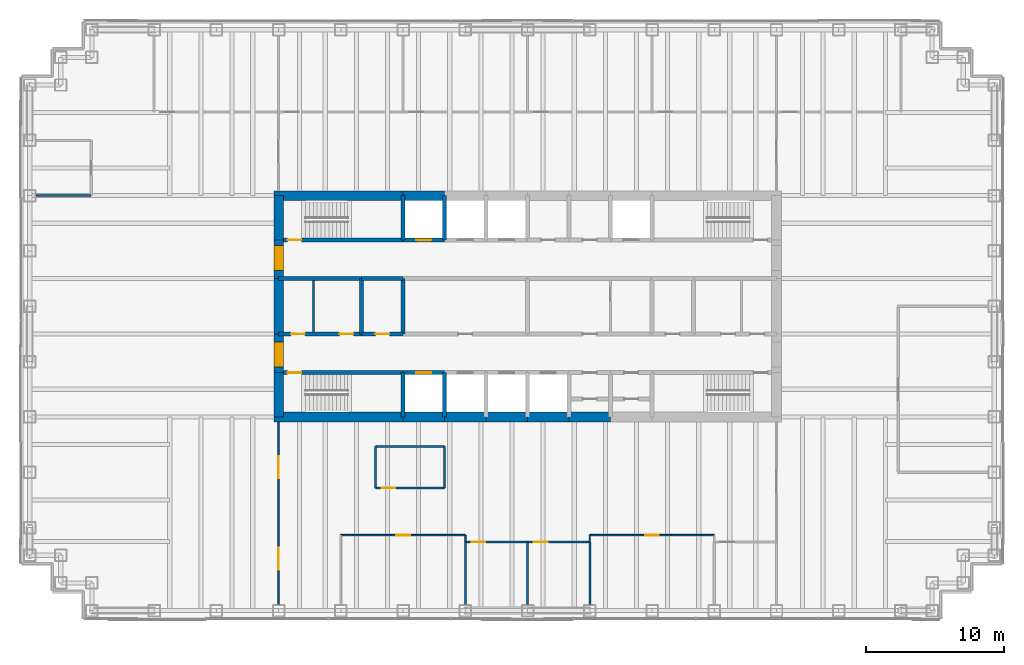
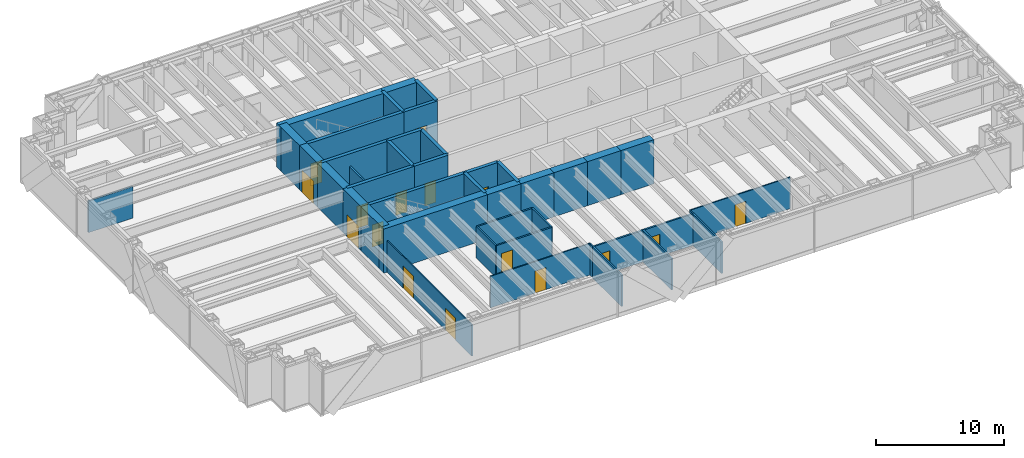
# One storey, part 11 of 15: 42 walls, 16 doors, 16 openings.
"""IFC4 building model written with IfcOpenShell, lengths in metres."""

from ifc_helpers import new_model, si_unit, direction, frame, frame_2d, origin, place, context, subcontext, project, spatial, rectangle, extrude, material, layer, layer_set, type_object, element, fill, save


model = new_model("IFC4")

# Units and contexts
model_context = context("Model", 3, precision=1e-05, world=origin(), true_north=direction((0.0, 1.0)))
body_context = subcontext(model_context, "Body", "Model", "MODEL_VIEW")
ifc_project = project(units=[si_unit("LENGTHUNIT", "METRE"), si_unit("AREAUNIT", "SQUARE_METRE"), si_unit("VOLUMEUNIT", "CUBIC_METRE"), si_unit("PLANEANGLEUNIT", "RADIAN"), si_unit("MASSUNIT", "GRAM", prefix="KILO")], contexts=[model_context])

# Site, building, storey
site_placement = place(None, origin())
site = spatial("IfcSite", under=ifc_project, at=site_placement, CompositionType="ELEMENT")
building_placement = place(site_placement, origin())
building = spatial("IfcBuilding", under=site, at=building_placement, Name="Rheinbord Bourse Tower", CompositionType="ELEMENT")
storey_placement = place(building_placement, frame((0.0, 0.0, 275.300048828125)))
storey = spatial("IfcBuildingStorey", under=building, at=storey_placement, Name="L62", CompositionType="ELEMENT", Elevation=275.300048828125)

# Wall, opening, door
ifc_material_1 = material(Name="Concrete C50/60", Category="concrete")
ifc_layer_1 = layer(ifc_material_1, 0.300048828125)
ifc_layer_set_1 = layer_set([ifc_layer_1], Name="CORE INNER WALL 300")
wall_type_1 = type_object("IfcWallType", Name="CORE INNER WALL 300", PredefinedType="SOLIDWALL", material=ifc_layer_set_1)
wall_1_placement = place(storey_placement, frame((18.0, 19.199951171875, 0.0), z_axis=(0.0, 0.0, 1.0), x_axis=(1.0, 0.0, 0.0)))
wall_1 = element("IfcWall", 1, at=wall_1_placement, inside=storey, type_object=wall_type_1, Name="Core wall A1 L62", PredefinedType="SOLIDWALL", context=body_context, shape_type="SweptSolid", body=[
    extrude(rectangle(XDim=9.0, YDim=0.300048828125, at=frame_2d((4.5, 0.0))), origin(), (0.0, 0.0, 1.0), 4.199951171875),
])
opening_1_placement = place(wall_1_placement, frame((0.64990234375, 0.0, 0.0)))
opening_1 = element("IfcOpeningElement", 2, at=opening_1_placement, cuts=wall_1, Name="Opening 6210", PredefinedType="OPENING", context=body_context, shape_type="SweptSolid", body=[
    extrude(rectangle(XDim=1.0, YDim=2.10009765625, at=frame_2d((0.5, 1.050048828125))), frame((0.0, 0.159912109375, 0.0), z_axis=(0.0, -1.0, 0.0), x_axis=(1.0, 0.0, 0.0)), (0.0, 0.0, 1.0), 0.320068359375),
])
ifc_material_2 = material(Name="Steel door", Category="steel")
door_type_1 = type_object("IfcDoorType", Name="DOOR 1000 EI30", OperationType="SINGLE_SWING_LEFT", PredefinedType="DOOR", material=ifc_material_2)
door_1_placement = place(opening_1_placement, origin())
door_1 = element("IfcDoor", 3, at=door_1_placement, inside=storey, type_object=door_type_1, Name="Stair door ST1 L62", OperationType="SINGLE_SWING_LEFT", OverallHeight=2.10009765625, OverallWidth=1.0, PredefinedType="DOOR", context=body_context, shape_type="SweptSolid", body=[
    extrude(rectangle(XDim=1.0, YDim=2.10009765625, at=frame_2d((0.5, 1.050048828125))), frame((0.0, 0.02490234375, 0.0), z_axis=(0.0, -1.0, 0.0), x_axis=(1.0, 0.0, 0.0)), (0.0, 0.0, 1.0), 0.050048828125),
])
fill(opening_1, door_1)

wall_2_placement = place(storey_placement, frame((27.0, 19.199951171875, 0.0), z_axis=(0.0, 0.0, 1.0), x_axis=(1.0, 0.0, 0.0)))
wall_2 = element("IfcWall", 4, at=wall_2_placement, inside=storey, type_object=wall_type_1, Name="Core wall A2 L62", PredefinedType="SOLIDWALL", context=body_context, shape_type="SweptSolid", body=[
    extrude(rectangle(XDim=3.0, YDim=0.300048828125, at=frame_2d((1.5, 0.0))), origin(), (0.0, 0.0, 1.0), 4.199951171875),
])
opening_2_placement = place(wall_2_placement, frame((0.949951171875, 0.0, 0.0)))
opening_2 = element("IfcOpeningElement", 5, at=opening_2_placement, cuts=wall_2, Name="Opening FL1", PredefinedType="OPENING", context=body_context, shape_type="SweptSolid", body=[
    extrude(rectangle(XDim=1.10009765625, YDim=2.199951171875, at=frame_2d((0.550048828125, 1.10009765625))), frame((0.0, 0.159912109375, 0.0), z_axis=(0.0, -1.0, 0.0), x_axis=(1.0, 0.0, 0.0)), (0.0, 0.0, 1.0), 0.320068359375),
])
ifc_material_3 = material(Name="Steel landing door", Category="steel")
door_type_2 = type_object("IfcDoorType", Name="LIFT LANDING DOOR 1100", OperationType="DOUBLE_DOOR_SLIDING", PredefinedType="USERDEFINED", material=ifc_material_3)
door_2_placement = place(opening_2_placement, origin())
door_2 = element("IfcDoor", 6, at=door_2_placement, inside=storey, type_object=door_type_2, Name="Lift landing door FL1 L62", ObjectType="LIFT LANDING DOOR", OperationType="DOUBLE_DOOR_SLIDING", OverallHeight=2.199951171875, OverallWidth=1.10009765625, PredefinedType="USERDEFINED", context=body_context, shape_type="SweptSolid", body=[
    extrude(rectangle(XDim=1.10009765625, YDim=2.199951171875, at=frame_2d((0.550048828125, 1.10009765625))), frame((0.0, 0.02490234375, 0.0), z_axis=(0.0, -1.0, 0.0), x_axis=(1.0, 0.0, 0.0)), (0.0, 0.0, 1.0), 0.050048828125),
])
fill(opening_2, door_2)

wall_3_placement = place(storey_placement, frame((18.0, 28.800048828125, 0.0), z_axis=(0.0, 0.0, 1.0), x_axis=(1.0, 0.0, 0.0)))
wall_3 = element("IfcWall", 7, at=wall_3_placement, inside=storey, type_object=wall_type_1, Name="Core wall B1 L62", PredefinedType="SOLIDWALL", context=body_context, shape_type="SweptSolid", body=[
    extrude(rectangle(XDim=9.0, YDim=0.300048828125, at=frame_2d((4.5, 0.0))), origin(), (0.0, 0.0, 1.0), 4.199951171875),
])
opening_3_placement = place(wall_3_placement, frame((0.64990234375, 0.0, 0.0)))
opening_3 = element("IfcOpeningElement", 8, at=opening_3_placement, cuts=wall_3, Name="Opening 6220", PredefinedType="OPENING", context=body_context, shape_type="SweptSolid", body=[
    extrude(rectangle(XDim=1.0, YDim=2.10009765625, at=frame_2d((0.5, 1.050048828125))), frame((0.0, 0.159912109375, 0.0), z_axis=(0.0, -1.0, 0.0), x_axis=(1.0, 0.0, 0.0)), (0.0, 0.0, 1.0), 0.320068359375),
])
door_3_placement = place(opening_3_placement, origin())
door_3 = element("IfcDoor", 9, at=door_3_placement, inside=storey, type_object=door_type_1, Name="Stair door ST2 L62", OperationType="SINGLE_SWING_LEFT", OverallHeight=2.10009765625, OverallWidth=1.0, PredefinedType="DOOR", context=body_context, shape_type="SweptSolid", body=[
    extrude(rectangle(XDim=1.0, YDim=2.10009765625, at=frame_2d((0.5, 1.050048828125))), frame((0.0, 0.02490234375, 0.0), z_axis=(0.0, -1.0, 0.0), x_axis=(1.0, 0.0, 0.0)), (0.0, 0.0, 1.0), 0.050048828125),
])
fill(opening_3, door_3)

wall_4_placement = place(storey_placement, frame((27.0, 28.800048828125, 0.0), z_axis=(0.0, 0.0, 1.0), x_axis=(1.0, 0.0, 0.0)))
wall_4 = element("IfcWall", 10, at=wall_4_placement, inside=storey, type_object=wall_type_1, Name="Core wall B2 L62", PredefinedType="SOLIDWALL", context=body_context, shape_type="SweptSolid", body=[
    extrude(rectangle(XDim=3.0, YDim=0.300048828125, at=frame_2d((1.5, 0.0))), origin(), (0.0, 0.0, 1.0), 4.199951171875),
])
opening_4_placement = place(wall_4_placement, frame((0.949951171875, 0.0, 0.0)))
opening_4 = element("IfcOpeningElement", 11, at=opening_4_placement, cuts=wall_4, Name="Opening GL1", PredefinedType="OPENING", context=body_context, shape_type="SweptSolid", body=[
    extrude(rectangle(XDim=1.10009765625, YDim=2.199951171875, at=frame_2d((0.550048828125, 1.10009765625))), frame((0.0, 0.159912109375, 0.0), z_axis=(0.0, -1.0, 0.0), x_axis=(1.0, 0.0, 0.0)), (0.0, 0.0, 1.0), 0.320068359375),
])
door_4_placement = place(opening_4_placement, origin())
door_4 = element("IfcDoor", 12, at=door_4_placement, inside=storey, type_object=door_type_2, Name="Lift landing door GL1 L62", ObjectType="LIFT LANDING DOOR", OperationType="DOUBLE_DOOR_SLIDING", OverallHeight=2.199951171875, OverallWidth=1.10009765625, PredefinedType="USERDEFINED", context=body_context, shape_type="SweptSolid", body=[
    extrude(rectangle(XDim=1.10009765625, YDim=2.199951171875, at=frame_2d((0.550048828125, 1.10009765625))), frame((0.0, 0.02490234375, 0.0), z_axis=(0.0, -1.0, 0.0), x_axis=(1.0, 0.0, 0.0)), (0.0, 0.0, 1.0), 0.050048828125),
])
fill(opening_4, door_4)

# Wall, openings, doors
wall_5_placement = place(storey_placement, frame((18.0, 22.0, 0.0), z_axis=(0.0, 0.0, 1.0), x_axis=(1.0, 0.0, 0.0)))
wall_5 = element("IfcWall", 13, at=wall_5_placement, inside=storey, type_object=wall_type_1, Name="Core wall C1 L62", PredefinedType="SOLIDWALL", context=body_context, shape_type="SweptSolid", body=[
    extrude(rectangle(XDim=6.0, YDim=0.300048828125, at=frame_2d((3.0, 0.0))), origin(), (0.0, 0.0, 1.0), 4.199951171875),
])
opening_5_placement = place(wall_5_placement, frame((4.39990234375, 0.0, 0.0)))
opening_5 = element("IfcOpeningElement", 14, at=opening_5_placement, cuts=wall_5, Name="Opening 62R1", PredefinedType="OPENING", context=body_context, shape_type="SweptSolid", body=[
    extrude(rectangle(XDim=1.0, YDim=2.10009765625, at=frame_2d((0.5, 1.050048828125))), frame((0.0, 0.159912109375, 0.0), z_axis=(0.0, -1.0, 0.0), x_axis=(1.0, 0.0, 0.0)), (0.0, 0.0, 1.0), 0.320068359375),
])
opening_6_placement = place(wall_5_placement, frame((0.89990234375, 0.0, 0.0)))
opening_6 = element("IfcOpeningElement", 15, at=opening_6_placement, cuts=wall_5, Name="Opening 62R9", PredefinedType="OPENING", context=body_context, shape_type="SweptSolid", body=[
    extrude(rectangle(XDim=1.0, YDim=2.10009765625, at=frame_2d((0.5, 1.050048828125))), frame((0.0, 0.159912109375, 0.0), z_axis=(0.0, -1.0, 0.0), x_axis=(1.0, 0.0, 0.0)), (0.0, 0.0, 1.0), 0.320068359375),
])
door_5_placement = place(opening_6_placement, origin())
door_5 = element("IfcDoor", 16, at=door_5_placement, inside=storey, type_object=door_type_1, Name="Baby change door L62", OperationType="SINGLE_SWING_LEFT", OverallHeight=2.10009765625, OverallWidth=1.0, PredefinedType="DOOR", context=body_context, shape_type="SweptSolid", body=[
    extrude(rectangle(XDim=1.0, YDim=2.10009765625, at=frame_2d((0.5, 1.050048828125))), frame((0.0, 0.02490234375, 0.0), z_axis=(0.0, -1.0, 0.0), x_axis=(1.0, 0.0, 0.0)), (0.0, 0.0, 1.0), 0.050048828125),
])
fill(opening_6, door_5)
ifc_material_4 = material(Name="Timber door", Category="wood")
door_type_3 = type_object("IfcDoorType", Name="DOOR 1000 WC", OperationType="SINGLE_SWING_LEFT", PredefinedType="DOOR", material=ifc_material_4)
door_6_placement = place(opening_5_placement, origin())
door_6 = element("IfcDoor", 17, at=door_6_placement, inside=storey, type_object=door_type_3, Name="WC men door L62", OperationType="SINGLE_SWING_RIGHT", OverallHeight=2.10009765625, OverallWidth=1.0, PredefinedType="DOOR", context=body_context, shape_type="SweptSolid", body=[
    extrude(rectangle(XDim=1.0, YDim=2.10009765625, at=frame_2d((0.5, 1.050048828125))), frame((0.0, 0.02490234375, 0.0), z_axis=(0.0, -1.0, 0.0), x_axis=(1.0, 0.0, 0.0)), (0.0, 0.0, 1.0), 0.050048828125),
])
fill(opening_5, door_6)

# Wall, opening, door
wall_6_placement = place(storey_placement, frame((24.0, 22.0, 0.0), z_axis=(0.0, 0.0, 1.0), x_axis=(1.0, 0.0, 0.0)))
wall_6 = element("IfcWall", 18, at=wall_6_placement, inside=storey, type_object=wall_type_1, Name="Core wall C2 L62", PredefinedType="SOLIDWALL", context=body_context, shape_type="SweptSolid", body=[
    extrude(rectangle(XDim=3.0, YDim=0.300048828125, at=frame_2d((1.5, 0.0))), origin(), (0.0, 0.0, 1.0), 4.199951171875),
])
opening_7_placement = place(wall_6_placement, frame((1.0, 0.0, 0.0)))
opening_7 = element("IfcOpeningElement", 19, at=opening_7_placement, cuts=wall_6, Name="Opening 62R2", PredefinedType="OPENING", context=body_context, shape_type="SweptSolid", body=[
    extrude(rectangle(XDim=1.0, YDim=2.10009765625, at=frame_2d((0.5, 1.050048828125))), frame((0.0, 0.159912109375, 0.0), z_axis=(0.0, -1.0, 0.0), x_axis=(1.0, 0.0, 0.0)), (0.0, 0.0, 1.0), 0.320068359375),
])
door_7_placement = place(opening_7_placement, origin())
door_7 = element("IfcDoor", 20, at=door_7_placement, inside=storey, type_object=door_type_1, Name="First aid room door L62", OperationType="SINGLE_SWING_LEFT", OverallHeight=2.10009765625, OverallWidth=1.0, PredefinedType="DOOR", context=body_context, shape_type="SweptSolid", body=[
    extrude(rectangle(XDim=1.0, YDim=2.10009765625, at=frame_2d((0.5, 1.050048828125))), frame((0.0, 0.02490234375, 0.0), z_axis=(0.0, -1.0, 0.0), x_axis=(1.0, 0.0, 0.0)), (0.0, 0.0, 1.0), 0.050048828125),
])
fill(opening_7, door_7)

# Walls
wall_7_placement = place(storey_placement, frame((18.0, 26.0, 0.0), z_axis=(0.0, 0.0, 1.0), x_axis=(1.0, 0.0, 0.0)))
element("IfcWall", 21, at=wall_7_placement, inside=storey, type_object=wall_type_1, Name="Core wall D1 L62", PredefinedType="SOLIDWALL", context=body_context, shape_type="SweptSolid", body=[
    extrude(rectangle(XDim=6.0, YDim=0.300048828125, at=frame_2d((3.0, 0.0))), origin(), (0.0, 0.0, 1.0), 4.199951171875),
])
wall_8_placement = place(storey_placement, frame((24.0, 26.0, 0.0), z_axis=(0.0, 0.0, 1.0), x_axis=(1.0, 0.0, 0.0)))
element("IfcWall", 22, at=wall_8_placement, inside=storey, type_object=wall_type_1, Name="Core wall D2 L62", PredefinedType="SOLIDWALL", context=body_context, shape_type="SweptSolid", body=[
    extrude(rectangle(XDim=3.0, YDim=0.300048828125, at=frame_2d((1.5, 0.0))), origin(), (0.0, 0.0, 1.0), 4.199951171875),
])
for number, where, z_axis, x_axis, name in (
    (23, (27.0, 16.0, 0.0), (0.0, 0.0, 1.0), (0.0, 1.0, 0.0), "Core wall SX27 L62"),
    (24, (27.0, 28.800048828125, 0.0), (0.0, 0.0, 1.0), (0.0, 1.0, 0.0), "Core wall NX27 L62"),
    (25, (30.0, 16.0, 0.0), (0.0, 0.0, 1.0), (0.0, 1.0, 0.0), "Core wall SX30 L62"),
    (26, (30.0, 28.800048828125, 0.0), (0.0, 0.0, 1.0), (0.0, 1.0, 0.0), "Core wall NX30 L62"),
):
    element("IfcWall", number, at=place(storey_placement, frame(where, z_axis=z_axis, x_axis=x_axis)), inside=storey, type_object=wall_type_1, Name=name, PredefinedType="SOLIDWALL", context=body_context, shape_type="SweptSolid", body=[
        extrude(rectangle(XDim=3.199951171875, YDim=0.300048828125, at=frame_2d((1.60009765625, 0.0))), origin(), (0.0, 0.0, 1.0), 4.199951171875),
    ])
for number, where, z_axis, x_axis, name in (
    (27, (24.0, 22.0, 0.0), (0.0, 0.0, 1.0), (0.0, 1.0, 0.0), "Core wall MX24 L62"),
    (28, (27.0, 22.0, 0.0), (0.0, 0.0, 1.0), (0.0, 1.0, 0.0), "Core wall MX27 L62"),
):
    element("IfcWall", number, at=place(storey_placement, frame(where, z_axis=z_axis, x_axis=x_axis)), inside=storey, type_object=wall_type_1, Name=name, PredefinedType="SOLIDWALL", context=body_context, shape_type="SweptSolid", body=[
        extrude(rectangle(XDim=4.0, YDim=0.300048828125, at=frame_2d((2.0, 0.0))), origin(), (0.0, 0.0, 1.0), 4.199951171875),
    ])
ifc_material_5 = material(Name="Gypsum board fire partition", Category="gypsum board")
ifc_layer_2 = layer(ifc_material_5, 0.14990234375)
ifc_layer_set_2 = layer_set([ifc_layer_2], Name="CORE PARTITION 150 EI30")
wall_type_2 = type_object("IfcWallType", Name="CORE PARTITION 150 EI30", PredefinedType="PARTITIONING", material=ifc_layer_set_2)
wall_9_placement = place(storey_placement, frame((20.52490234375, 22.14990234375, 0.0), z_axis=(0.0, 0.0, 1.0), x_axis=(0.0, 1.0, 0.0)))
element("IfcWall", 29, at=wall_9_placement, inside=storey, type_object=wall_type_2, Name="Core partition L62-2", PredefinedType="PARTITIONING", context=body_context, shape_type="SweptSolid", body=[
    extrude(rectangle(XDim=3.7001953125, YDim=0.14990234375, at=frame_2d((1.85009765625, 0.0))), origin(), (0.0, 0.0, 1.0), 3.0),
])
ifc_material_6 = material(Name="Concrete C50/60", Category="concrete")
ifc_layer_3 = layer(ifc_material_6, 0.699951171875)
ifc_layer_set_3 = layer_set([ifc_layer_3], Name="CORE WALL 700")
wall_type_3 = type_object("IfcWallType", Name="CORE WALL 700", PredefinedType="SHEAR", material=ifc_layer_set_3)
wall_10_placement = place(storey_placement, frame((17.64990234375, 16.0, 0.0), z_axis=(0.0, 0.0, 1.0), x_axis=(1.0, 0.0, 0.0)))
element("IfcWall", 30, at=wall_10_placement, inside=storey, type_object=wall_type_3, Name="Core wall S1 L62", PredefinedType="SHEAR", context=body_context, shape_type="SweptSolid", body=[
    extrude(rectangle(XDim=9.35009765625, YDim=0.699951171875, at=frame_2d((4.675048828125, 0.0))), origin(), (0.0, 0.0, 1.0), 4.199951171875),
])
for number, where, z_axis, x_axis, name in (
    (31, (27.0, 16.0, 0.0), (0.0, 0.0, 1.0), (1.0, 0.0, 0.0), "Core wall S2 L62"),
    (32, (30.0, 16.0, 0.0), (0.0, 0.0, 1.0), (1.0, 0.0, 0.0), "Core wall S3 L62"),
    (33, (33.0, 16.0, 0.0), (0.0, 0.0, 1.0), (1.0, 0.0, 0.0), "Core wall S4 L62"),
    (34, (36.0, 16.0, 0.0), (0.0, 0.0, 1.0), (1.0, 0.0, 0.0), "Core wall S5 L62"),
    (35, (39.0, 16.0, 0.0), (0.0, 0.0, 1.0), (1.0, 0.0, 0.0), "Core wall S6 L62"),
    (36, (30.0, 32.0, 0.0), (0.0, 0.0, 1.0), (-1.0, 0.0, 0.0), "Core wall N7 L62"),
):
    element("IfcWall", number, at=place(storey_placement, frame(where, z_axis=z_axis, x_axis=x_axis)), inside=storey, type_object=wall_type_3, Name=name, PredefinedType="SHEAR", context=body_context, shape_type="SweptSolid", body=[
        extrude(rectangle(XDim=3.0, YDim=0.699951171875, at=frame_2d((1.5, 0.0))), origin(), (0.0, 0.0, 1.0), 4.199951171875),
    ])
wall_11_placement = place(storey_placement, frame((27.0, 32.0, 0.0), z_axis=(0.0, 0.0, 1.0), x_axis=(-1.0, 0.0, 0.0)))
element("IfcWall", 37, at=wall_11_placement, inside=storey, type_object=wall_type_3, Name="Core wall N8 L62", PredefinedType="SHEAR", context=body_context, shape_type="SweptSolid", body=[
    extrude(rectangle(XDim=9.35009765625, YDim=0.699951171875, at=frame_2d((4.675048828125, 0.0))), origin(), (0.0, 0.0, 1.0), 4.199951171875),
])
wall_12_placement = place(storey_placement, frame((18.0, 32.0, 0.0), z_axis=(0.0, 0.0, 1.0), x_axis=(0.0, -1.0, 0.0)))
element("IfcWall", 38, at=wall_12_placement, inside=storey, type_object=wall_type_3, Name="Core wall W1 L62", PredefinedType="SHEAR", context=body_context, shape_type="SweptSolid", body=[
    extrude(rectangle(XDim=3.199951171875, YDim=0.699951171875, at=frame_2d((1.60009765625, 0.0))), origin(), (0.0, 0.0, 1.0), 4.199951171875),
])

# Wall, opening, door
wall_13_placement = place(storey_placement, frame((18.0, 28.800048828125, 0.0), z_axis=(0.0, 0.0, 1.0), x_axis=(0.0, -1.0, 0.0)))
wall_13 = element("IfcWall", 39, at=wall_13_placement, inside=storey, type_object=wall_type_3, Name="Core wall W2 L62", PredefinedType="SHEAR", context=body_context, shape_type="SweptSolid", body=[
    extrude(rectangle(XDim=2.800048828125, YDim=0.699951171875, at=frame_2d((1.39990234375, 0.0))), origin(), (0.0, 0.0, 1.0), 4.199951171875),
])
opening_8_placement = place(wall_13_placement, frame((0.39990234375, 0.0, 0.0)))
opening_8 = element("IfcOpeningElement", 40, at=opening_8_placement, cuts=wall_13, Name="Opening 62L2", PredefinedType="OPENING", context=body_context, shape_type="SweptSolid", body=[
    extrude(rectangle(XDim=1.800048828125, YDim=2.10009765625, at=frame_2d((0.89990234375, 1.050048828125))), frame((0.0, 0.35986328125, 0.0), z_axis=(0.0, -1.0, 0.0), x_axis=(1.0, 0.0, 0.0)), (0.0, 0.0, 1.0), 0.719970703125),
])
ifc_material_7 = material(Name="Steel door", Category="steel")
door_type_4 = type_object("IfcDoorType", Name="DOOR 1800 EI30 DOUBLE", OperationType="DOUBLE_DOOR_DOUBLE_SWING", PredefinedType="DOOR", material=ifc_material_7)
door_8_placement = place(opening_8_placement, origin())
door_8 = element("IfcDoor", 41, at=door_8_placement, inside=storey, type_object=door_type_4, Name="Lobby door 2 L62", OperationType="SINGLE_SWING_LEFT", OverallHeight=2.10009765625, OverallWidth=1.800048828125, PredefinedType="DOOR", context=body_context, shape_type="SweptSolid", body=[
    extrude(rectangle(XDim=1.800048828125, YDim=2.10009765625, at=frame_2d((0.89990234375, 1.050048828125))), frame((0.0, 0.349609375, 0.0), z_axis=(0.0, -1.0, 0.0), x_axis=(1.0, 0.0, 0.0)), (0.0, 0.0, 1.0), 0.699462890625),
])
fill(opening_8, door_8)

# Wall
wall_14_placement = place(storey_placement, frame((18.0, 26.0, 0.0), z_axis=(0.0, 0.0, 1.0), x_axis=(0.0, -1.0, 0.0)))
element("IfcWall", 42, at=wall_14_placement, inside=storey, type_object=wall_type_3, Name="Core wall W3 L62", PredefinedType="SHEAR", context=body_context, shape_type="SweptSolid", body=[
    extrude(rectangle(XDim=4.0, YDim=0.699951171875, at=frame_2d((2.0, 0.0))), origin(), (0.0, 0.0, 1.0), 4.199951171875),
])

# Wall, opening, door
wall_15_placement = place(storey_placement, frame((18.0, 22.0, 0.0), z_axis=(0.0, 0.0, 1.0), x_axis=(0.0, -1.0, 0.0)))
wall_15 = element("IfcWall", 43, at=wall_15_placement, inside=storey, type_object=wall_type_3, Name="Core wall W4 L62", PredefinedType="SHEAR", context=body_context, shape_type="SweptSolid", body=[
    extrude(rectangle(XDim=2.800048828125, YDim=0.699951171875, at=frame_2d((1.39990234375, 0.0))), origin(), (0.0, 0.0, 1.0), 4.199951171875),
])
opening_9_placement = place(wall_15_placement, frame((0.60009765625, 0.0, 0.0)))
opening_9 = element("IfcOpeningElement", 44, at=opening_9_placement, cuts=wall_15, Name="Opening 62L1", PredefinedType="OPENING", context=body_context, shape_type="SweptSolid", body=[
    extrude(rectangle(XDim=1.800048828125, YDim=2.10009765625, at=frame_2d((0.89990234375, 1.050048828125))), frame((0.0, 0.35986328125, 0.0), z_axis=(0.0, -1.0, 0.0), x_axis=(1.0, 0.0, 0.0)), (0.0, 0.0, 1.0), 0.719970703125),
])
door_9_placement = place(opening_9_placement, origin())
door_9 = element("IfcDoor", 45, at=door_9_placement, inside=storey, type_object=door_type_4, Name="Lobby door 1 L62", OperationType="SINGLE_SWING_LEFT", OverallHeight=2.10009765625, OverallWidth=1.800048828125, PredefinedType="DOOR", context=body_context, shape_type="SweptSolid", body=[
    extrude(rectangle(XDim=1.800048828125, YDim=2.10009765625, at=frame_2d((0.89990234375, 1.050048828125))), frame((0.0, 0.349609375, 0.0), z_axis=(0.0, -1.0, 0.0), x_axis=(1.0, 0.0, 0.0)), (0.0, 0.0, 1.0), 0.699462890625),
])
fill(opening_9, door_9)

# Wall
wall_16_placement = place(storey_placement, frame((18.0, 19.199951171875, 0.0), z_axis=(0.0, 0.0, 1.0), x_axis=(0.0, -1.0, 0.0)))
element("IfcWall", 46, at=wall_16_placement, inside=storey, type_object=wall_type_3, Name="Core wall W5 L62", PredefinedType="SHEAR", context=body_context, shape_type="SweptSolid", body=[
    extrude(rectangle(XDim=3.199951171875, YDim=0.699951171875, at=frame_2d((1.60009765625, 0.0))), origin(), (0.0, 0.0, 1.0), 4.199951171875),
])

# Wall, opening, door
ifc_material_8 = material(Name="Gypsum board fire partition", Category="gypsum board")
ifc_layer_4 = layer(ifc_material_8, 0.14990234375)
ifc_layer_set_4 = layer_set([ifc_layer_4], Name="FIRE PARTITION 150 EI60")
wall_type_4 = type_object("IfcWallType", Name="FIRE PARTITION 150 EI60", PredefinedType="PARTITIONING", material=ifc_layer_set_4)
wall_17_placement = place(storey_placement, frame((25.0, 10.85009765625, 0.0), z_axis=(0.0, 0.0, 1.0), x_axis=(1.0, 0.0, 0.0)))
wall_17 = element("IfcWall", 47, at=wall_17_placement, inside=storey, type_object=wall_type_4, Name="Partition L62-05", PredefinedType="PARTITIONING", context=body_context, shape_type="SweptSolid", body=[
    extrude(rectangle(XDim=5.0, YDim=0.14990234375, at=frame_2d((2.5, 0.0))), origin(), (0.0, 0.0, 1.0), 3.0),
])
opening_10_placement = place(wall_17_placement, frame((0.449951171875, 0.0, 0.0)))
opening_10 = element("IfcOpeningElement", 48, at=opening_10_placement, cuts=wall_17, Name="Opening 62D06", PredefinedType="OPENING", context=body_context, shape_type="SweptSolid", body=[
    extrude(rectangle(XDim=1.0, YDim=2.10009765625, at=frame_2d((0.5, 1.050048828125))), frame((0.0, 0.0849609375, 0.0), z_axis=(0.0, -1.0, 0.0), x_axis=(1.0, 0.0, 0.0)), (0.0, 0.0, 1.0), 0.169921875),
])
ifc_material_9 = material(Name="Timber fire door", Category="wood")
door_type_5 = type_object("IfcDoorType", Name="FIRE DOOR 1000 EI60", OperationType="SINGLE_SWING_LEFT", PredefinedType="DOOR", material=ifc_material_9)
door_10_placement = place(opening_10_placement, origin())
door_10 = element("IfcDoor", 49, at=door_10_placement, inside=storey, type_object=door_type_5, Name="Comms room door L62", OperationType="SINGLE_SWING_LEFT", OverallHeight=2.10009765625, OverallWidth=1.0, PredefinedType="DOOR", context=body_context, shape_type="SweptSolid", body=[
    extrude(rectangle(XDim=1.0, YDim=2.10009765625, at=frame_2d((0.5, 1.050048828125))), frame((0.0, 0.02490234375, 0.0), z_axis=(0.0, -1.0, 0.0), x_axis=(1.0, 0.0, 0.0)), (0.0, 0.0, 1.0), 0.050048828125),
])
fill(opening_10, door_10)

# Walls
wall_18_placement = place(storey_placement, frame((25.0, 13.85009765625, 0.0), z_axis=(0.0, 0.0, 1.0), x_axis=(1.0, 0.0, 0.0)))
element("IfcWall", 50, at=wall_18_placement, inside=storey, type_object=wall_type_4, Name="Partition L62-07", PredefinedType="PARTITIONING", context=body_context, shape_type="SweptSolid", body=[
    extrude(rectangle(XDim=5.0, YDim=0.14990234375, at=frame_2d((2.5, 0.0))), origin(), (0.0, 0.0, 1.0), 3.0),
])
for number, where, z_axis, x_axis, name in (
    (51, (25.0, 10.85009765625, 0.0), (0.0, 0.0, 1.0), (0.0, 1.0, 0.0), "Partition L62-18"),
    (52, (30.0, 10.85009765625, 0.0), (0.0, 0.0, 1.0), (0.0, 1.0, 0.0), "Partition L62-20"),
):
    element("IfcWall", number, at=place(storey_placement, frame(where, z_axis=z_axis, x_axis=x_axis)), inside=storey, type_object=wall_type_4, Name=name, PredefinedType="PARTITIONING", context=body_context, shape_type="SweptSolid", body=[
        extrude(rectangle(XDim=3.0, YDim=0.14990234375, at=frame_2d((1.5, 0.0))), origin(), (0.0, 0.0, 1.0), 3.0),
    ])

# Wall, opening, door
ifc_material_10 = material(Name="Toughened laminated glass partition", Category="glass")
ifc_layer_5 = layer(ifc_material_10, 0.10009765625)
ifc_layer_set_5 = layer_set([ifc_layer_5], Name="GLAZED PARTITION 100")
wall_type_5 = type_object("IfcWallType", Name="GLAZED PARTITION 100", PredefinedType="PARTITIONING", material=ifc_layer_set_5)
wall_19_placement = place(storey_placement, frame((22.5, 7.449951171875, 0.0), z_axis=(0.0, 0.0, 1.0), x_axis=(1.0, 0.0, 0.0)))
wall_19 = element("IfcWall", 53, at=wall_19_placement, inside=storey, type_object=wall_type_5, Name="Partition L62-03", PredefinedType="PARTITIONING", context=body_context, shape_type="SweptSolid", body=[
    extrude(rectangle(XDim=9.0, YDim=0.10009765625, at=frame_2d((4.5, 0.0))), origin(), (0.0, 0.0, 1.0), 3.0),
])
opening_11_placement = place(wall_19_placement, frame((4.0, 0.0, 0.0)))
opening_11 = element("IfcOpeningElement", 54, at=opening_11_placement, cuts=wall_19, Name="Opening 62D04", PredefinedType="OPENING", context=body_context, shape_type="SweptSolid", body=[
    extrude(rectangle(XDim=1.0, YDim=2.10009765625, at=frame_2d((0.5, 1.050048828125))), frame((0.0, 0.06005859375, 0.0), z_axis=(0.0, -1.0, 0.0), x_axis=(1.0, 0.0, 0.0)), (0.0, 0.0, 1.0), 0.1201171875),
])
ifc_material_11 = material(Name="Timber door", Category="wood")
door_type_6 = type_object("IfcDoorType", Name="ROOM DOOR 1000", OperationType="SINGLE_SWING_LEFT", PredefinedType="DOOR", material=ifc_material_11)
door_11_placement = place(opening_11_placement, origin())
door_11 = element("IfcDoor", 55, at=door_11_placement, inside=storey, type_object=door_type_6, Name="Meeting room door L62", OperationType="SINGLE_SWING_LEFT", OverallHeight=2.10009765625, OverallWidth=1.0, PredefinedType="DOOR", context=body_context, shape_type="SweptSolid", body=[
    extrude(rectangle(XDim=1.0, YDim=2.10009765625, at=frame_2d((0.5, 1.050048828125))), frame((0.0, 0.02490234375, 0.0), z_axis=(0.0, -1.0, 0.0), x_axis=(1.0, 0.0, 0.0)), (0.0, 0.0, 1.0), 0.050048828125),
])
fill(opening_11, door_11)

wall_20_placement = place(storey_placement, frame((40.5, 7.449951171875, 0.0), z_axis=(0.0, 0.0, 1.0), x_axis=(1.0, 0.0, 0.0)))
wall_20 = element("IfcWall", 56, at=wall_20_placement, inside=storey, type_object=wall_type_5, Name="Partition L62-04", PredefinedType="PARTITIONING", context=body_context, shape_type="SweptSolid", body=[
    extrude(rectangle(XDim=9.0, YDim=0.10009765625, at=frame_2d((4.5, 0.0))), origin(), (0.0, 0.0, 1.0), 3.0),
])
opening_12_placement = place(wall_20_placement, frame((4.0, 0.0, 0.0)))
opening_12 = element("IfcOpeningElement", 57, at=opening_12_placement, cuts=wall_20, Name="Opening 62D05", PredefinedType="OPENING", context=body_context, shape_type="SweptSolid", body=[
    extrude(rectangle(XDim=1.0, YDim=2.10009765625, at=frame_2d((0.5, 1.050048828125))), frame((0.0, 0.06005859375, 0.0), z_axis=(0.0, -1.0, 0.0), x_axis=(1.0, 0.0, 0.0)), (0.0, 0.0, 1.0), 0.1201171875),
])
door_12_placement = place(opening_12_placement, origin())
door_12 = element("IfcDoor", 58, at=door_12_placement, inside=storey, type_object=door_type_6, Name="Meeting room door L62", OperationType="SINGLE_SWING_LEFT", OverallHeight=2.10009765625, OverallWidth=1.0, PredefinedType="DOOR", context=body_context, shape_type="SweptSolid", body=[
    extrude(rectangle(XDim=1.0, YDim=2.10009765625, at=frame_2d((0.5, 1.050048828125))), frame((0.0, 0.02490234375, 0.0), z_axis=(0.0, -1.0, 0.0), x_axis=(1.0, 0.0, 0.0)), (0.0, 0.0, 1.0), 0.050048828125),
])
fill(opening_12, door_12)

# Wall, openings, doors
wall_21_placement = place(storey_placement, frame((18.0, 2.449951171875, 0.0), z_axis=(0.0, 0.0, 1.0), x_axis=(0.0, 1.0, 0.0)))
wall_21 = element("IfcWall", 59, at=wall_21_placement, inside=storey, type_object=wall_type_5, Name="Partition L62-14", PredefinedType="PARTITIONING", context=body_context, shape_type="SweptSolid", body=[
    extrude(rectangle(XDim=13.199951171875, YDim=0.10009765625, at=frame_2d((6.60009765625, 0.0))), origin(), (0.0, 0.0, 1.0), 3.0),
])
opening_13_placement = place(wall_21_placement, frame((2.5, 0.0, 0.0)))
opening_13 = element("IfcOpeningElement", 60, at=opening_13_placement, cuts=wall_21, Name="Opening 62D15", PredefinedType="OPENING", context=body_context, shape_type="SweptSolid", body=[
    extrude(rectangle(XDim=1.60009765625, YDim=2.10009765625, at=frame_2d((0.800048828125, 1.050048828125))), frame((0.0, 0.06005859375, 0.0), z_axis=(0.0, -1.0, 0.0), x_axis=(1.0, 0.0, 0.0)), (0.0, 0.0, 1.0), 0.1201171875),
])
opening_14_placement = place(wall_21_placement, frame((9.10009765625, 0.0, 0.0)))
opening_14 = element("IfcOpeningElement", 61, at=opening_14_placement, cuts=wall_21, Name="Opening 62D16", PredefinedType="OPENING", context=body_context, shape_type="SweptSolid", body=[
    extrude(rectangle(XDim=1.60009765625, YDim=2.10009765625, at=frame_2d((0.800048828125, 1.050048828125))), frame((0.0, 0.06005859375, 0.0), z_axis=(0.0, -1.0, 0.0), x_axis=(1.0, 0.0, 0.0)), (0.0, 0.0, 1.0), 0.1201171875),
])
ifc_material_12 = material(Name="Timber door", Category="wood")
door_type_7 = type_object("IfcDoorType", Name="DOUBLE ROOM DOOR 1600", OperationType="DOUBLE_DOOR_DOUBLE_SWING", PredefinedType="DOOR", material=ifc_material_12)
door_13_placement = place(opening_13_placement, origin())
door_13 = element("IfcDoor", 62, at=door_13_placement, inside=storey, type_object=door_type_7, Name="Open area door L62", OperationType="SINGLE_SWING_LEFT", OverallHeight=2.10009765625, OverallWidth=1.60009765625, PredefinedType="DOOR", context=body_context, shape_type="SweptSolid", body=[
    extrude(rectangle(XDim=1.60009765625, YDim=2.10009765625, at=frame_2d((0.800048828125, 1.050048828125))), frame((0.0, 0.02490234375, 0.0), z_axis=(0.0, -1.0, 0.0), x_axis=(1.0, 0.0, 0.0)), (0.0, 0.0, 1.0), 0.050048828125),
])
fill(opening_13, door_13)
door_14_placement = place(opening_14_placement, origin())
door_14 = element("IfcDoor", 63, at=door_14_placement, inside=storey, type_object=door_type_7, Name="Open area door L62", OperationType="SINGLE_SWING_LEFT", OverallHeight=2.10009765625, OverallWidth=1.60009765625, PredefinedType="DOOR", context=body_context, shape_type="SweptSolid", body=[
    extrude(rectangle(XDim=1.60009765625, YDim=2.10009765625, at=frame_2d((0.800048828125, 1.050048828125))), frame((0.0, 0.02490234375, 0.0), z_axis=(0.0, -1.0, 0.0), x_axis=(1.0, 0.0, 0.0)), (0.0, 0.0, 1.0), 0.050048828125),
])
fill(opening_14, door_14)

# Walls
for number, where, z_axis, x_axis, name in (
    (64, (31.5, 6.949951171875, 0.0), (0.0, 0.0, 1.0), (0.0, 1.0, 0.0), "Partition L62-22"),
    (65, (40.5, 6.949951171875, 0.0), (0.0, 0.0, 1.0), (0.0, 1.0, 0.0), "Partition L62-26"),
):
    element("IfcWall", number, at=place(storey_placement, frame(where, z_axis=z_axis, x_axis=x_axis)), inside=storey, type_object=wall_type_5, Name=name, PredefinedType="PARTITIONING", context=body_context, shape_type="SweptSolid", body=[
        extrude(rectangle(XDim=0.5, YDim=0.10009765625, at=frame_2d((0.25, 0.0))), origin(), (0.0, 0.0, 1.0), 3.0),
    ])

# Wall, openings, doors
ifc_material_13 = material(Name="Gypsum board partition", Category="gypsum board")
ifc_layer_6 = layer(ifc_material_13, 0.14990234375)
ifc_layer_set_6 = layer_set([ifc_layer_6], Name="PARTITION 150")
wall_type_6 = type_object("IfcWallType", Name="PARTITION 150", PredefinedType="PARTITIONING", material=ifc_layer_set_6)
wall_22_placement = place(storey_placement, frame((31.5, 6.949951171875, 0.0), z_axis=(0.0, 0.0, 1.0), x_axis=(1.0, 0.0, 0.0)))
wall_22 = element("IfcWall", 66, at=wall_22_placement, inside=storey, type_object=wall_type_6, Name="Partition L62-01", PredefinedType="PARTITIONING", context=body_context, shape_type="SweptSolid", body=[
    extrude(rectangle(XDim=9.0, YDim=0.14990234375, at=frame_2d((4.5, 0.0))), origin(), (0.0, 0.0, 1.0), 3.0),
])
opening_15_placement = place(wall_22_placement, frame((0.449951171875, 0.0, 0.0)))
opening_15 = element("IfcOpeningElement", 67, at=opening_15_placement, cuts=wall_22, Name="Opening 62D01", PredefinedType="OPENING", context=body_context, shape_type="SweptSolid", body=[
    extrude(rectangle(XDim=1.0, YDim=2.10009765625, at=frame_2d((0.5, 1.050048828125))), frame((0.0, 0.0849609375, 0.0), z_axis=(0.0, -1.0, 0.0), x_axis=(1.0, 0.0, 0.0)), (0.0, 0.0, 1.0), 0.169921875),
])
opening_16_placement = place(wall_22_placement, frame((4.949951171875, 0.0, 0.0)))
opening_16 = element("IfcOpeningElement", 68, at=opening_16_placement, cuts=wall_22, Name="Opening 62D02", PredefinedType="OPENING", context=body_context, shape_type="SweptSolid", body=[
    extrude(rectangle(XDim=1.0, YDim=2.10009765625, at=frame_2d((0.5, 1.050048828125))), frame((0.0, 0.0849609375, 0.0), z_axis=(0.0, -1.0, 0.0), x_axis=(1.0, 0.0, 0.0)), (0.0, 0.0, 1.0), 0.169921875),
])
door_15_placement = place(opening_15_placement, origin())
door_15 = element("IfcDoor", 69, at=door_15_placement, inside=storey, type_object=door_type_6, Name="Office door L62", OperationType="SINGLE_SWING_LEFT", OverallHeight=2.10009765625, OverallWidth=1.0, PredefinedType="DOOR", context=body_context, shape_type="SweptSolid", body=[
    extrude(rectangle(XDim=1.0, YDim=2.10009765625, at=frame_2d((0.5, 1.050048828125))), frame((0.0, 0.02490234375, 0.0), z_axis=(0.0, -1.0, 0.0), x_axis=(1.0, 0.0, 0.0)), (0.0, 0.0, 1.0), 0.050048828125),
])
fill(opening_15, door_15)
door_16_placement = place(opening_16_placement, origin())
door_16 = element("IfcDoor", 70, at=door_16_placement, inside=storey, type_object=door_type_6, Name="Office door L62", OperationType="SINGLE_SWING_RIGHT", OverallHeight=2.10009765625, OverallWidth=1.0, PredefinedType="DOOR", context=body_context, shape_type="SweptSolid", body=[
    extrude(rectangle(XDim=1.0, YDim=2.10009765625, at=frame_2d((0.5, 1.050048828125))), frame((0.0, 0.02490234375, 0.0), z_axis=(0.0, -1.0, 0.0), x_axis=(1.0, 0.0, 0.0)), (0.0, 0.0, 1.0), 0.050048828125),
])
fill(opening_16, door_16)

# Walls
wall_23_placement = place(storey_placement, frame((0.449951171875, 32.0, 0.0), z_axis=(0.0, 0.0, 1.0), x_axis=(1.0, 0.0, 0.0)))
element("IfcWall", 71, at=wall_23_placement, inside=storey, type_object=wall_type_6, Name="Partition L62-09", PredefinedType="PARTITIONING", context=body_context, shape_type="SweptSolid", body=[
    extrude(rectangle(XDim=4.0, YDim=0.14990234375, at=frame_2d((2.0, 0.0))), origin(), (0.0, 0.0, 1.0), 3.0),
])
for number, where, z_axis, x_axis, name in (
    (72, (31.5, 2.449951171875, 0.0), (0.0, 0.0, 1.0), (0.0, 1.0, 0.0), "Partition L62-21"),
    (73, (36.0, 2.449951171875, 0.0), (0.0, 0.0, 1.0), (0.0, 1.0, 0.0), "Partition L62-23"),
    (74, (40.5, 2.449951171875, 0.0), (0.0, 0.0, 1.0), (0.0, 1.0, 0.0), "Partition L62-25"),
):
    element("IfcWall", number, at=place(storey_placement, frame(where, z_axis=z_axis, x_axis=x_axis)), inside=storey, type_object=wall_type_6, Name=name, PredefinedType="PARTITIONING", context=body_context, shape_type="SweptSolid", body=[
        extrude(rectangle(XDim=4.5, YDim=0.14990234375, at=frame_2d((2.25, 0.0))), origin(), (0.0, 0.0, 1.0), 3.0),
    ])

save(model, "model.ifc")
